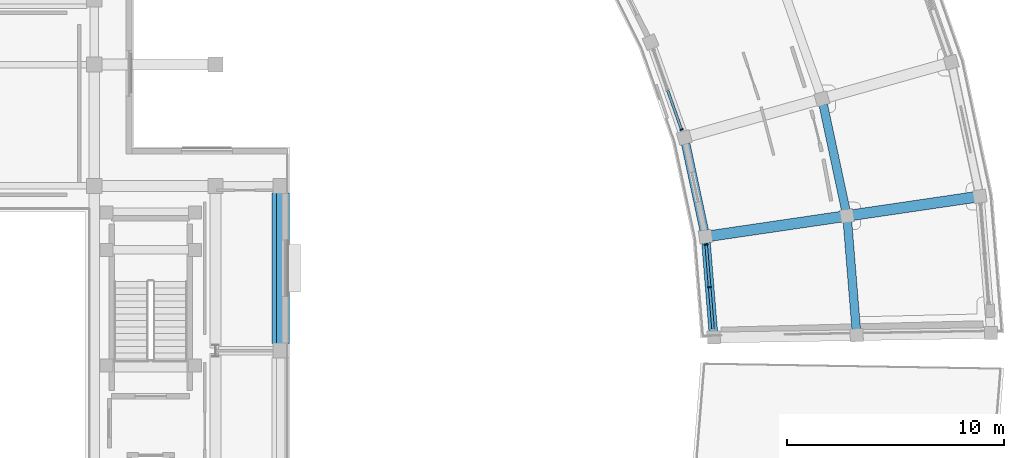
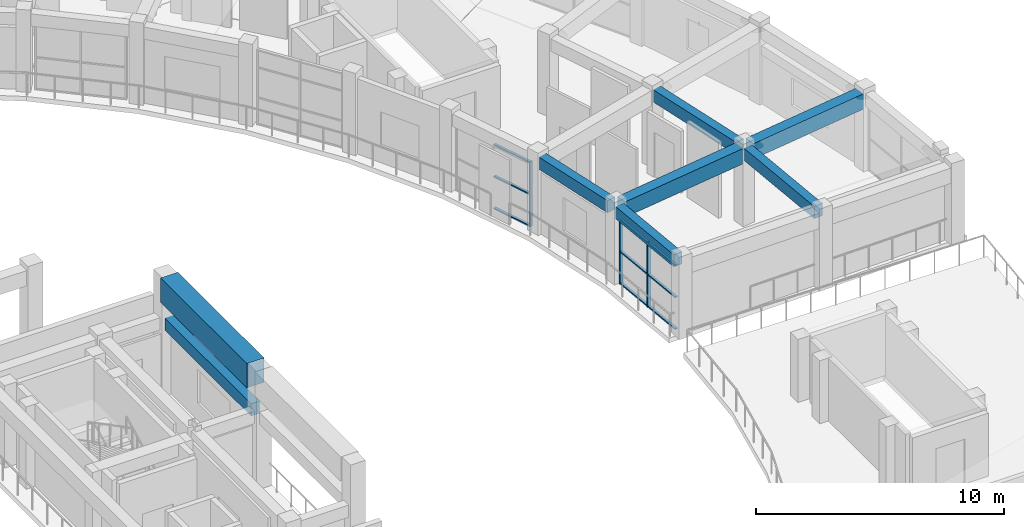
# One storey, part 10 of 29: 12 members, 8 beams, 2 elements without a shape of their own.
"""IFC4 building model written with IfcOpenShell, lengths in metres."""

from ifc_helpers import new_model, si_unit, direction, frame, origin, origin_2d, place, context, subcontext, project, spatial, rectangle, extrude, material, material_profile, profile_set, type_object, element, aggregate, save


model = new_model("IFC4")

# Units and contexts
model_context = context("Model", 3, precision=1e-05, world=origin(), true_north=direction((0.0, 1.0)))
body_context = subcontext(model_context, "Body", "Model", "MODEL_VIEW")
ifc_project = project(units=[si_unit("LENGTHUNIT", "METRE"), si_unit("AREAUNIT", "SQUARE_METRE"), si_unit("VOLUMEUNIT", "CUBIC_METRE"), si_unit("PLANEANGLEUNIT", "RADIAN"), si_unit("MASSUNIT", "GRAM", prefix="KILO")], contexts=[model_context])

# Site, building, storey
site_placement = place(None, origin())
site = spatial("IfcSite", under=ifc_project, at=site_placement, CompositionType="ELEMENT")
building_placement = place(site_placement, origin())
building = spatial("IfcBuilding", under=site, at=building_placement, Name="Saryqyr Civic Hall", CompositionType="ELEMENT")
storey_placement = place(building_placement, frame((0.0, 0.0, 25.35009765625)))
storey = spatial("IfcBuildingStorey", under=building, at=storey_placement, Name="L06", CompositionType="ELEMENT", Elevation=25.35009765625)

# Curtain wall, members
ifc_material_1 = material(Name="Anodised aluminium and triple low-E glass", Category="aluminium")
curtain_wall_type = type_object("IfcCurtainWallType", Name="ENV-CW-STD-21", PredefinedType="NOTDEFINED", material=ifc_material_1)
curtain_wall_1_placement = place(storey_placement, origin())
curtain_wall_1 = element("IfcCurtainWall", 1, at=curtain_wall_1_placement, inside=storey, type_object=curtain_wall_type, Name="Curtain wall V6-CWI-L06-00", PredefinedType="NOTDEFINED")
ifc_material_2 = material(Name="Anodised aluminium", Category="aluminium")
ifc_material_profile_1 = material_profile(ifc_material_2, rectangle(XDim=0.06005859375, YDim=0.159912109375, at=origin_2d()), Name="ALU MULLION 60x160")
ifc_profile_set_1 = profile_set([ifc_material_profile_1], Name="Anodised aluminium")
member_type_1 = type_object("IfcMemberType", Name="ENV-CW-MUL-180", PredefinedType="MULLION", material=ifc_profile_set_1)
member_1_placement = place(storey_placement, frame((93.00537109375, 86.93017578125, 0.0), z_axis=(0.0, 0.0, 1.0), x_axis=(-0.081090889978, 0.996706710905, 0.0)))
member_1 = element("IfcMember", 2, at=member_1_placement, type_object=member_type_1, Name="CW-21 mullion 2", PredefinedType="MULLION", context=body_context, shape_type="SweptSolid", body=[
    extrude(rectangle(XDim=0.06005859375, YDim=0.159912109375, at=origin_2d()), origin(), (0.0, 0.0, 1.0), 3.184814453125),
])
member_2_placement = place(storey_placement, frame((92.845947265625, 88.89013671875, 0.0), z_axis=(0.0, 0.0, 1.0), x_axis=(-0.081090889978, 0.996706710905, 0.0)))
member_2 = element("IfcMember", 3, at=member_2_placement, type_object=member_type_1, Name="CW-21 mullion 3", PredefinedType="MULLION", context=body_context, shape_type="SweptSolid", body=[
    extrude(rectangle(XDim=0.06005859375, YDim=0.159912109375, at=origin_2d()), origin(), (0.0, 0.0, 1.0), 3.184814453125),
])

# Curtain wall, member
curtain_wall_2_placement = place(storey_placement, origin())
curtain_wall_2 = element("IfcCurtainWall", 4, at=curtain_wall_2_placement, inside=storey, type_object=curtain_wall_type, Name="Curtain wall V6-CWI-L06-02", PredefinedType="NOTDEFINED")
member_3_placement = place(storey_placement, frame((91.708984375, 94.200439453125, 0.0), z_axis=(0.0, 0.0, 1.0), x_axis=(-0.333171977335, 0.94286607401, 0.0)))
member_3 = element("IfcMember", 5, at=member_3_placement, type_object=member_type_1, Name="CW-21 mullion 1", PredefinedType="MULLION", context=body_context, shape_type="SweptSolid", body=[
    extrude(rectangle(XDim=0.06005859375, YDim=0.159912109375, at=origin_2d()), origin(), (0.0, 0.0, 1.0), 3.184814453125),
])

# Member
ifc_material_profile_2 = material_profile(ifc_material_2, rectangle(XDim=0.1201171875, YDim=0.06005859375, at=origin_2d()), Name="ALU TRANSOM 120x60")
ifc_profile_set_2 = profile_set([ifc_material_profile_2], Name="Anodised aluminium")
member_type_2 = type_object("IfcMemberType", Name="ENV-CW-TRN-150", PredefinedType="USERDEFINED", material=ifc_profile_set_2)
member_4_placement = place(storey_placement, frame((93.162353515625, 85.0, 0.02978515625), z_axis=(-0.081063441011, 0.99670894374, 0.0), x_axis=(-0.99670894374, -0.081063441011, 0.0)))
member_4 = element("IfcMember", 6, at=member_4_placement, type_object=member_type_2, Name="CW-21 transom 1.1", ObjectType="TRANSOM", PredefinedType="USERDEFINED", context=body_context, shape_type="SweptSolid", body=[
    extrude(rectangle(XDim=0.1201171875, YDim=0.06005859375, at=origin_2d()), origin(), (0.0, 0.0, 1.0), 1.906494140625),
])

member_5_placement = place(storey_placement, frame((93.162353515625, 85.0, 1.593017578125), z_axis=(-0.081063441011, 0.99670894374, 0.0), x_axis=(-0.99670894374, -0.081063441011, 0.0)))
member_5 = element("IfcMember", 7, at=member_5_placement, type_object=member_type_2, Name="CW-21 transom 1.2", ObjectType="TRANSOM", PredefinedType="USERDEFINED", context=body_context, shape_type="SweptSolid", body=[
    extrude(rectangle(XDim=0.1201171875, YDim=0.06005859375, at=origin_2d()), origin(), (0.0, 0.0, 1.0), 1.906494140625),
])

member_6_placement = place(storey_placement, frame((93.162353515625, 85.0, 3.15478515625), z_axis=(-0.081063441011, 0.99670894374, 0.0), x_axis=(-0.99670894374, -0.081063441011, 0.0)))
member_6 = element("IfcMember", 8, at=member_6_placement, type_object=member_type_2, Name="CW-21 transom 1.3", ObjectType="TRANSOM", PredefinedType="USERDEFINED", context=body_context, shape_type="SweptSolid", body=[
    extrude(rectangle(XDim=0.1201171875, YDim=0.06005859375, at=origin_2d()), origin(), (0.0, 0.0, 1.0), 1.906494140625),
])

member_7_placement = place(storey_placement, frame((93.0029296875, 86.9599609375, 0.02978515625), z_axis=(-0.081053095321, 0.996709785112, 0.0), x_axis=(-0.996709785112, -0.081053095321, 0.0)))
member_7 = element("IfcMember", 9, at=member_7_placement, type_object=member_type_2, Name="CW-21 transom 2.1", ObjectType="TRANSOM", PredefinedType="USERDEFINED", context=body_context, shape_type="SweptSolid", body=[
    extrude(rectangle(XDim=0.1201171875, YDim=0.06005859375, at=origin_2d()), origin(), (0.0, 0.0, 1.0), 1.90673828125),
])

member_8_placement = place(storey_placement, frame((93.0029296875, 86.9599609375, 1.593017578125), z_axis=(-0.081053095321, 0.996709785112, 0.0), x_axis=(-0.996709785112, -0.081053095321, 0.0)))
member_8 = element("IfcMember", 10, at=member_8_placement, type_object=member_type_2, Name="CW-21 transom 2.2", ObjectType="TRANSOM", PredefinedType="USERDEFINED", context=body_context, shape_type="SweptSolid", body=[
    extrude(rectangle(XDim=0.1201171875, YDim=0.06005859375, at=origin_2d()), origin(), (0.0, 0.0, 1.0), 1.90673828125),
])

member_9_placement = place(storey_placement, frame((93.0029296875, 86.9599609375, 3.15478515625), z_axis=(-0.081053095321, 0.996709785112, 0.0), x_axis=(-0.996709785112, -0.081053095321, 0.0)))
member_9 = element("IfcMember", 11, at=member_9_placement, type_object=member_type_2, Name="CW-21 transom 2.3", ObjectType="TRANSOM", PredefinedType="USERDEFINED", context=body_context, shape_type="SweptSolid", body=[
    extrude(rectangle(XDim=0.1201171875, YDim=0.06005859375, at=origin_2d()), origin(), (0.0, 0.0, 1.0), 1.90673828125),
])

aggregate(curtain_wall_1, [member_1, member_2, member_4, member_5, member_6, member_7, member_8, member_9])

member_10_placement = place(storey_placement, frame((91.698974609375, 94.228759765625, 0.02978515625), z_axis=(-0.333138159912, 0.942878023082, 0.0), x_axis=(-0.942878023082, -0.333138159912, 0.0)))
member_10 = element("IfcMember", 12, at=member_10_placement, type_object=member_type_2, Name="CW-21 transom 1.1", ObjectType="TRANSOM", PredefinedType="USERDEFINED", context=body_context, shape_type="SweptSolid", body=[
    extrude(rectangle(XDim=0.1201171875, YDim=0.06005859375, at=origin_2d()), origin(), (0.0, 0.0, 1.0), 1.88720703125),
])

member_11_placement = place(storey_placement, frame((91.698974609375, 94.228759765625, 1.593017578125), z_axis=(-0.333138159912, 0.942878023082, 0.0), x_axis=(-0.942878023082, -0.333138159912, 0.0)))
member_11 = element("IfcMember", 13, at=member_11_placement, type_object=member_type_2, Name="CW-21 transom 1.2", ObjectType="TRANSOM", PredefinedType="USERDEFINED", context=body_context, shape_type="SweptSolid", body=[
    extrude(rectangle(XDim=0.1201171875, YDim=0.06005859375, at=origin_2d()), origin(), (0.0, 0.0, 1.0), 1.88720703125),
])

member_12_placement = place(storey_placement, frame((91.698974609375, 94.228759765625, 3.15478515625), z_axis=(-0.333138159912, 0.942878023082, 0.0), x_axis=(-0.942878023082, -0.333138159912, 0.0)))
member_12 = element("IfcMember", 14, at=member_12_placement, type_object=member_type_2, Name="CW-21 transom 1.3", ObjectType="TRANSOM", PredefinedType="USERDEFINED", context=body_context, shape_type="SweptSolid", body=[
    extrude(rectangle(XDim=0.1201171875, YDim=0.06005859375, at=origin_2d()), origin(), (0.0, 0.0, 1.0), 1.88720703125),
])

aggregate(curtain_wall_2, [member_3, member_10, member_11, member_12])

# Beams
ifc_material_3 = material(Name="Concrete C35/45", Category="concrete")
ifc_material_profile_3 = material_profile(ifc_material_3, rectangle(XDim=0.39990234375, YDim=0.60009765625, at=origin_2d()), Name="RC 400x600")
ifc_profile_set_3 = profile_set([ifc_material_profile_3], Name="Concrete C35/45")
beam_type_1 = type_object("IfcBeamType", Name="STR-BM-RC400x600", PredefinedType="BEAM", material=ifc_profile_set_3)
beam_1_placement = place(storey_placement, frame((73.199951171875, 84.324951171875, 3.5), z_axis=(0.0, 1.0, 0.0), x_axis=(-1.0, 0.0, 0.0)))
element("IfcBeam", 15, at=beam_1_placement, inside=storey, type_object=beam_type_1, Name="Beam V1-TBM-14-L06", PredefinedType="BEAM", context=body_context, shape_type="SweptSolid", body=[
    extrude(rectangle(XDim=0.39990234375, YDim=0.60009765625, at=origin_2d()), origin(), (0.0, 0.0, 1.0), 6.949951171875),
])
for number, where, z_axis, x_axis, name in (
    (16, (99.771728515625, 84.983642578125, 3.510009765625), (-0.081072662347, 0.996708193716, 0.0), (-0.996708193716, -0.081072662347, 0.0), "Beam V6-CBM-MID00-L06"),
    (17, (99.288330078125, 90.488037109375, 3.510009765625), (-0.208889285381, 0.977939295894, 0.0), (-0.977939295894, -0.208889285381, 0.0), "Beam V6-CBM-MID01-L06"),
):
    element("IfcBeam", number, at=place(storey_placement, frame(where, z_axis=z_axis, x_axis=x_axis)), inside=storey, type_object=beam_type_1, Name=name, PredefinedType="BEAM", context=body_context, shape_type="SweptSolid", body=[
        extrude(rectangle(XDim=0.39990234375, YDim=0.60009765625, at=origin_2d()), origin(), (0.0, 0.0, 1.0), 4.977783203125),
    ])
ifc_material_profile_4 = material_profile(ifc_material_3, rectangle(XDim=0.39990234375, YDim=0.60009765625, at=origin_2d()), Name="RC 400x600")
ifc_profile_set_4 = profile_set([ifc_material_profile_4], Name="Concrete C35/45")
beam_type_2 = type_object("IfcBeamType", Name="STR-BM-RC400x600-EXT", PredefinedType="BEAM", material=ifc_profile_set_4)
beam_2_placement = place(storey_placement, frame((93.172607421875, 84.874267578125, 3.510009765625), z_axis=(-0.081076463708, 0.996707884504, 0.0), x_axis=(-0.996707884504, -0.081076463708, 0.0)))
element("IfcBeam", 18, at=beam_2_placement, inside=storey, type_object=beam_type_2, Name="Beam V6-CBM-IN00-L06", PredefinedType="BEAM", context=body_context, shape_type="SweptSolid", body=[
    extrude(rectangle(XDim=0.39990234375, YDim=0.60009765625, at=origin_2d()), origin(), (0.0, 0.0, 1.0), 4.12548828125),
])
beam_3_placement = place(storey_placement, frame((92.75830078125, 89.529052734375, 3.510009765625), z_axis=(-0.208914702751, 0.97793386636, 0.0), x_axis=(-0.97793386636, -0.208914702751, 0.0)))
element("IfcBeam", 19, at=beam_3_placement, inside=storey, type_object=beam_type_2, Name="Beam V6-CBM-IN01-L06", PredefinedType="BEAM", context=body_context, shape_type="SweptSolid", body=[
    extrude(rectangle(XDim=0.39990234375, YDim=0.60009765625, at=origin_2d()), origin(), (0.0, 0.0, 1.0), 4.125244140625),
])
ifc_material_4 = material(Name="Concrete C40/50", Category="concrete")
ifc_material_profile_5 = material_profile(ifc_material_4, rectangle(XDim=0.5, YDim=0.75, at=origin_2d()), Name="RC 500x750")
ifc_profile_set_5 = profile_set([ifc_material_profile_5], Name="Concrete C40/50")
beam_type_3 = type_object("IfcBeamType", Name="STR-BM-RC500x750", PredefinedType="BEAM", material=ifc_profile_set_5)
beam_4_placement = place(storey_placement, frame((93.087890625, 89.300048828125, 3.434814453125), z_axis=(0.989385770491, 0.145312756323, 0.0), x_axis=(-0.145312756323, 0.989385770491, 0.0)))
element("IfcBeam", 20, at=beam_4_placement, inside=storey, type_object=beam_type_3, Name="Beam V6-RBM-A01-L06", PredefinedType="BEAM", context=body_context, shape_type="SweptSolid", body=[
    extrude(rectangle(XDim=0.5, YDim=0.75, at=origin_2d()), origin(), (0.0, 0.0, 1.0), 6.050048828125),
])
beam_5_placement = place(storey_placement, frame((99.617919921875, 90.259033203125, 3.434814453125), z_axis=(0.989385279689, 0.145316097986, 0.0), x_axis=(-0.145316097986, 0.989385279689, 0.0)))
element("IfcBeam", 21, at=beam_5_placement, inside=storey, type_object=beam_type_3, Name="Beam V6-RBM-B01-L06", PredefinedType="BEAM", context=body_context, shape_type="SweptSolid", body=[
    extrude(rectangle(XDim=0.5, YDim=0.75, at=origin_2d()), origin(), (0.0, 0.0, 1.0), 5.650146484375),
])
ifc_material_profile_6 = material_profile(ifc_material_4, rectangle(XDim=0.800048828125, YDim=1.199951171875, at=origin_2d()), Name="RC 800x1200")
ifc_profile_set_6 = profile_set([ifc_material_profile_6], Name="Concrete C40/50")
beam_type_4 = type_object("IfcBeamType", Name="STR-BM-RING-RC800x1200", PredefinedType="BEAM", material=ifc_profile_set_6)
beam_6_placement = place(storey_placement, frame((73.199951171875, 84.324951171875, 5.25), z_axis=(0.0, 1.0, 0.0), x_axis=(-1.0, 0.0, 0.0)))
element("IfcBeam", 22, at=beam_6_placement, inside=storey, type_object=beam_type_4, Name="Beam V1-RB31-04", PredefinedType="BEAM", context=body_context, shape_type="SweptSolid", body=[
    extrude(rectangle(XDim=0.800048828125, YDim=1.199951171875, at=origin_2d()), origin(), (0.0, 0.0, 1.0), 6.949951171875),
])

save(model, "model.ifc")
